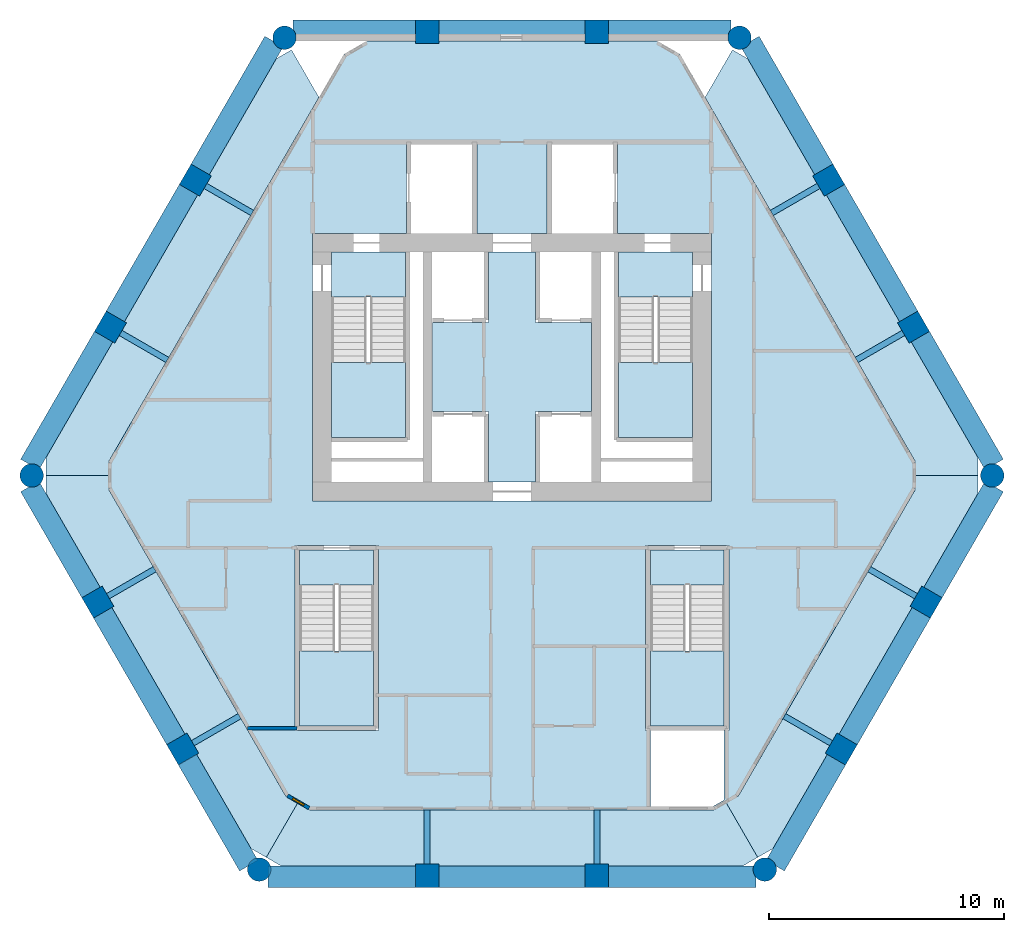
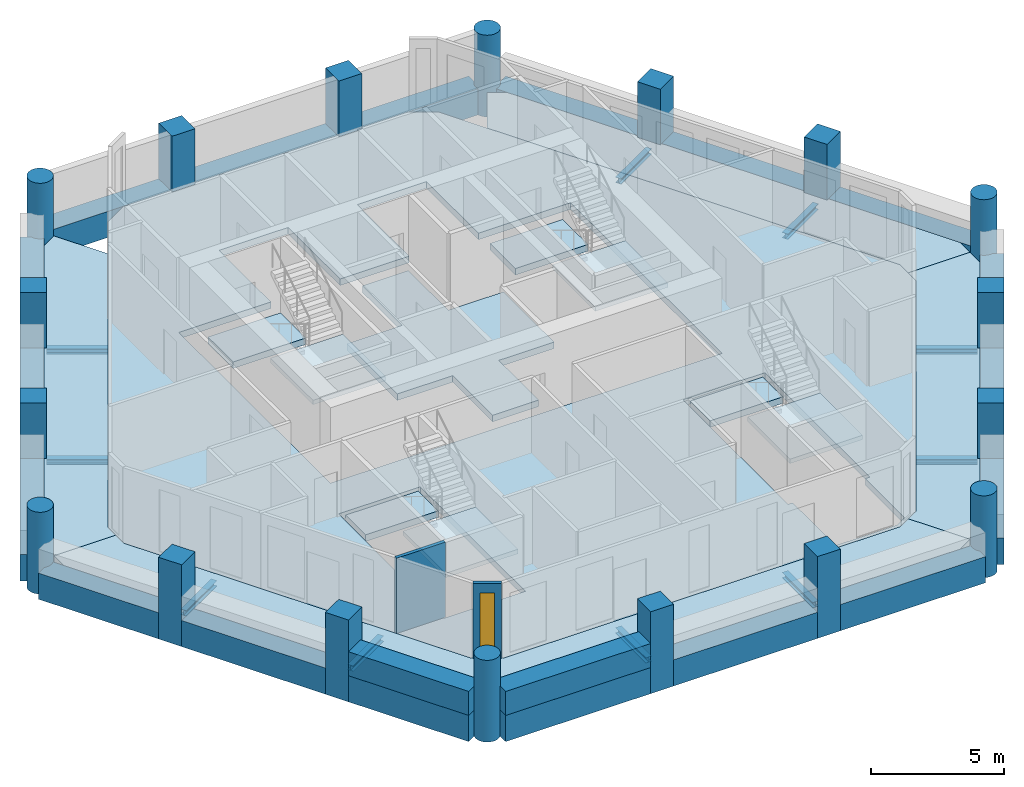
# One storey, part 1 of 7: 28 beams, 18 columns, 15 slabs, 4 walls, 1 window, 1 opening, 4 elements without a shape of their own.
"""IFC4 building model written with IfcOpenShell, lengths in metres."""

from ifc_helpers import new_model, si_unit, direction, frame, frame_2d, origin, origin_2d, place, context, subcontext, project, spatial, polyline, rectangle, circle, i_section, outline, extrude, material, layer, layer_set, material_profile, profile_set, type_object, element, fill, aggregate, save


model = new_model("IFC4")

# Units and contexts
model_context = context("Model", 3, precision=1e-05, world=origin(), true_north=direction((0.0, 1.0)))
body_context = subcontext(model_context, "Body", "Model", "MODEL_VIEW")
ifc_project = project(units=[si_unit("LENGTHUNIT", "METRE"), si_unit("AREAUNIT", "SQUARE_METRE"), si_unit("VOLUMEUNIT", "CUBIC_METRE"), si_unit("PLANEANGLEUNIT", "RADIAN"), si_unit("MASSUNIT", "GRAM", prefix="KILO")], contexts=[model_context])

# Site, building, storey
site_placement = place(None, origin())
site = spatial("IfcSite", under=ifc_project, at=site_placement, CompositionType="ELEMENT")
building_placement = place(site_placement, origin())
building = spatial("IfcBuilding", under=site, at=building_placement, Name="Ostrander Bayou Hotel Tower", CompositionType="ELEMENT")
storey_placement = place(building_placement, frame((0.0, 0.0, 183.25)))
storey = spatial("IfcBuildingStorey", under=building, at=storey_placement, Name="L45", CompositionType="ELEMENT", Elevation=183.25)

# Columns
ifc_material_1 = material(Name="Concrete f'c 60 MPa", Category="concrete")
ifc_material_profile_1 = material_profile(ifc_material_1, circle(Radius=0.5, at=origin_2d()))
ifc_profile_set_1 = profile_set([ifc_material_profile_1], Name="Concrete f'c 60 MPa")
column_type_1 = type_object("IfcColumnType", Name="C5 round column 1000 mm f'c 60 MPa", PredefinedType="COLUMN", material=ifc_profile_set_1)
for number, where, z_axis, x_axis, name in (
    (1, (-9.700439453125, 18.04541015625, -1.199951171875), (0.0, 0.0, 1.0), (1.0, 0.0, 0.0), "C5 L45 K0"),
    (2, (-20.47802734375, -0.621826171875, -1.199951171875), (0.0, 0.0, 1.0), (1.0, 0.0, 0.0), "C5 L45 K1"),
    (3, (-10.777587890625, -17.423583984375, -1.199951171875), (0.0, 0.0, 1.0), (1.0, 0.0, 0.0), "C5 L45 K2"),
    (4, (10.777587890625, -17.423583984375, -1.199951171875), (0.0, 0.0, 1.0), (1.0, 0.0, 0.0), "C5 L45 K3"),
    (5, (20.47802734375, -0.621826171875, -1.199951171875), (0.0, 0.0, 1.0), (1.0, 0.0, 0.0), "C5 L45 K4"),
    (6, (9.700439453125, 18.04541015625, -1.199951171875), (0.0, 0.0, 1.0), (1.0, 0.0, 0.0), "C5 L45 K5"),
):
    element("IfcColumn", number, at=place(storey_placement, frame(where, z_axis=z_axis, x_axis=x_axis)), inside=storey, type_object=column_type_1, Name=name, PredefinedType="COLUMN", context=body_context, shape_type="SweptSolid", body=[
        extrude(circle(Radius=0.5, at=origin_2d()), origin(), (0.0, 0.0, 1.0), 3.75),
    ])
ifc_material_2 = material(Name="Concrete f'c 60 MPa", Category="concrete")
ifc_material_profile_2 = material_profile(ifc_material_2, rectangle(XDim=1.0, YDim=1.0, at=origin_2d()))
ifc_profile_set_2 = profile_set([ifc_material_profile_2], Name="Concrete f'c 60 MPa")
column_type_2 = type_object("IfcColumnType", Name="C6 square column 1000 x 1000 mm f'c 60 MPa", PredefinedType="COLUMN", material=ifc_profile_set_2)
for number, where, z_axis, x_axis, name in (
    (7, (3.6181640625, 18.300048828125, -1.199951171875), (0.0, 0.0, 1.0), (1.0, 0.0, 0.0), "C6 L45 N1"),
    (8, (-3.6181640625, 18.300048828125, -1.199951171875), (0.0, 0.0, 1.0), (1.0, 0.0, 0.0), "C6 L45 N2"),
    (9, (-13.500732421875, 11.972412109375, -1.199951171875), (0.0, 0.0, 1.0), (0.5, 0.866025403784, 0.0), "C6 L45 NW1"),
    (10, (-17.11865234375, 5.705810546875, -1.199951171875), (0.0, 0.0, 1.0), (0.5, 0.866025403784, 0.0), "C6 L45 NW2"),
    (11, (-17.6572265625, -6.0166015625, -1.199951171875), (0.0, 0.0, 1.0), (-0.5, 0.866025403784, 0.0), "C6 L45 SW1"),
    (12, (-14.039306640625, -12.283203125, -1.199951171875), (0.0, 0.0, 1.0), (-0.5, 0.866025403784, 0.0), "C6 L45 SW2"),
    (13, (-3.6181640625, -17.677978515625, -1.199951171875), (0.0, 0.0, 1.0), (-1.0, 0.0, 0.0), "C6 L45 S1"),
    (14, (3.6181640625, -17.677978515625, -1.199951171875), (0.0, 0.0, 1.0), (-1.0, 0.0, 0.0), "C6 L45 S2"),
    (15, (14.039306640625, -12.283203125, -1.199951171875), (0.0, 0.0, 1.0), (-0.5, -0.866025403784, 0.0), "C6 L45 SE1"),
    (16, (17.6572265625, -6.0166015625, -1.199951171875), (0.0, 0.0, 1.0), (-0.5, -0.866025403784, 0.0), "C6 L45 SE2"),
    (17, (17.11865234375, 5.705810546875, -1.199951171875), (0.0, 0.0, 1.0), (0.5, -0.866025403784, 0.0), "C6 L45 NE1"),
    (18, (13.500732421875, 11.972412109375, -1.199951171875), (0.0, 0.0, 1.0), (0.5, -0.866025403784, 0.0), "C6 L45 NE2"),
):
    element("IfcColumn", number, at=place(storey_placement, frame(where, z_axis=z_axis, x_axis=x_axis)), inside=storey, type_object=column_type_2, Name=name, PredefinedType="COLUMN", context=body_context, shape_type="SweptSolid", body=[
        extrude(rectangle(XDim=1.0, YDim=1.0, at=origin_2d()), origin(), (0.0, 0.0, 1.0), 3.75),
    ])

# Beams
ifc_material_3 = material(Name="Steel ASTM A992", Category="steel")
ifc_material_profile_3 = material_profile(ifc_material_3, i_section(OverallWidth=0.25390625, OverallDepth=0.25341796875, WebThickness=0.008544921875, FlangeThickness=0.01416015625, at=origin_2d()))
ifc_profile_set_3 = profile_set([ifc_material_profile_3], Name="Steel ASTM A992")
beam_type_1 = type_object("IfcBeamType", Name="LB2 loggia bracket W10x49", PredefinedType="BEAM", material=ifc_profile_set_3)
for number, where, z_axis, x_axis, name in (
    (19, (-13.067626953125, 11.722412109375, -0.4267578125), (0.866053019151, -0.499952165731, 0.0), (0.499952165731, 0.866053019151, 0.0), "LB2 L45 NW1"),
    (20, (-16.685791015625, 5.455810546875, -0.4267578125), (0.866007057882, -0.500031774688, 0.0), (0.500031774688, 0.866007057882, 0.0), "LB2 L45 NW2"),
    (21, (-17.224365234375, -5.7666015625, -0.4267578125), (0.866053019151, 0.499952165731, 0.0), (-0.499952165731, 0.866053019151, 0.0), "LB2 L45 SW1"),
):
    element("IfcBeam", number, at=place(storey_placement, frame(where, z_axis=z_axis, x_axis=x_axis)), inside=storey, type_object=beam_type_1, Name=name, PredefinedType="BEAM", context=body_context, shape_type="SweptSolid", body=[
        extrude(i_section(OverallWidth=0.25390625, OverallDepth=0.25341796875, WebThickness=0.008544921875, FlangeThickness=0.01416015625, at=origin_2d()), origin(), (0.0, 0.0, 1.0), 2.300048828125),
    ])
for number, where, z_axis, x_axis, name in (
    (22, (-13.606201171875, -12.033203125, -0.4267578125), (0.86602648383, 0.499998129301, 0.0), (-0.499998129301, 0.86602648383, 0.0), "LB2 L45 SW2"),
    (23, (-3.6181640625, -17.177978515625, -0.4267578125), (0.0, 1.0, 0.0), (-1.0, 0.0, 0.0), "LB2 L45 S1"),
    (24, (3.6181640625, -17.177978515625, -0.4267578125), (0.0, 1.0, 0.0), (-1.0, 0.0, 0.0), "LB2 L45 S2"),
    (25, (13.606201171875, -12.033203125, -0.4267578125), (-0.86602648383, 0.499998129301, 0.0), (-0.499998129301, -0.86602648383, 0.0), "LB2 L45 SE1"),
):
    element("IfcBeam", number, at=place(storey_placement, frame(where, z_axis=z_axis, x_axis=x_axis)), inside=storey, type_object=beam_type_1, Name=name, PredefinedType="BEAM", context=body_context, shape_type="SweptSolid", body=[
        extrude(i_section(OverallWidth=0.25390625, OverallDepth=0.25341796875, WebThickness=0.008544921875, FlangeThickness=0.01416015625, at=origin_2d()), origin(), (0.0, 0.0, 1.0), 2.2998046875),
    ])
for number, where, z_axis, x_axis, name in (
    (26, (17.224365234375, -5.7666015625, -0.4267578125), (-0.866053019151, 0.499952165731, 0.0), (-0.499952165731, -0.866053019151, 0.0), "LB2 L45 SE2"),
    (27, (16.685791015625, 5.455810546875, -0.4267578125), (-0.866007057882, -0.500031774688, 0.0), (0.500031774688, -0.866007057882, 0.0), "LB2 L45 NE1"),
    (28, (13.067626953125, 11.722412109375, -0.4267578125), (-0.866053019151, -0.499952165731, 0.0), (0.499952165731, -0.866053019151, 0.0), "LB2 L45 NE2"),
):
    element("IfcBeam", number, at=place(storey_placement, frame(where, z_axis=z_axis, x_axis=x_axis)), inside=storey, type_object=beam_type_1, Name=name, PredefinedType="BEAM", context=body_context, shape_type="SweptSolid", body=[
        extrude(i_section(OverallWidth=0.25390625, OverallDepth=0.25341796875, WebThickness=0.008544921875, FlangeThickness=0.01416015625, at=origin_2d()), origin(), (0.0, 0.0, 1.0), 2.300048828125),
    ])
ifc_material_4 = material(Name="Concrete f'c 60 MPa", Category="concrete")
ifc_material_profile_4 = material_profile(ifc_material_4, rectangle(XDim=0.89990234375, YDim=1.199951171875, at=origin_2d()))
ifc_profile_set_4 = profile_set([ifc_material_profile_4], Name="Concrete f'c 60 MPa")
beam_type_2 = type_object("IfcBeamType", Name="SP3 spandrel beam 900 x 1200 mm f'c 60 MPa", PredefinedType="SPANDREL", material=ifc_profile_set_4)
beam_1_placement = place(storey_placement, frame((9.333984375, 18.35009765625, -0.60009765625), z_axis=(-1.0, 0.0, 0.0), x_axis=(0.0, -1.0, 0.0)))
element("IfcBeam", 29, at=beam_1_placement, inside=storey, type_object=beam_type_2, Name="SP3 L45 N-1", PredefinedType="SPANDREL", context=body_context, shape_type="SweptSolid", body=[
    extrude(rectangle(XDim=0.89990234375, YDim=1.199951171875, at=origin_2d()), origin(), (0.0, 0.0, 1.0), 5.245849609375),
])
beam_2_placement = place(storey_placement, frame((3.148193359375, 18.35009765625, -0.60009765625), z_axis=(-1.0, 0.0, 0.0), x_axis=(0.0, -1.0, 0.0)))
element("IfcBeam", 30, at=beam_2_placement, inside=storey, type_object=beam_type_2, Name="SP3 L45 N-2", PredefinedType="SPANDREL", context=body_context, shape_type="SweptSolid", body=[
    extrude(rectangle(XDim=0.89990234375, YDim=1.199951171875, at=origin_2d()), origin(), (0.0, 0.0, 1.0), 6.29638671875),
])
beam_3_placement = place(storey_placement, frame((-4.088134765625, 18.35009765625, -0.60009765625), z_axis=(-1.0, 0.0, 0.0), x_axis=(0.0, -1.0, 0.0)))
element("IfcBeam", 31, at=beam_3_placement, inside=storey, type_object=beam_type_2, Name="SP3 L45 N-3", PredefinedType="SPANDREL", context=body_context, shape_type="SweptSolid", body=[
    extrude(rectangle(XDim=0.89990234375, YDim=1.199951171875, at=origin_2d()), origin(), (0.0, 0.0, 1.0), 5.245849609375),
])
beam_4_placement = place(storey_placement, frame((-10.1474609375, 17.88037109375, -0.60009765625), z_axis=(-0.500000968981, -0.866024844342, 0.0), x_axis=(0.866024844342, -0.500000968981, 0.0)))
element("IfcBeam", 32, at=beam_4_placement, inside=storey, type_object=beam_type_2, Name="SP3 L45 NW-1", PredefinedType="SPANDREL", context=body_context, shape_type="SweptSolid", body=[
    extrude(rectangle(XDim=0.89990234375, YDim=1.199951171875, at=origin_2d()), origin(), (0.0, 0.0, 1.0), 6.3232421875),
])
beam_5_placement = place(storey_placement, frame((-13.779052734375, 11.59033203125, -0.60009765625), z_axis=(-0.499984268907, -0.866034485945, 0.0), x_axis=(0.866034485945, -0.499984268907, 0.0)))
element("IfcBeam", 33, at=beam_5_placement, inside=storey, type_object=beam_type_2, Name="SP3 L45 NW-2", PredefinedType="SPANDREL", context=body_context, shape_type="SweptSolid", body=[
    extrude(rectangle(XDim=0.89990234375, YDim=1.199951171875, at=origin_2d()), origin(), (0.0, 0.0, 1.0), 6.296142578125),
])
beam_6_placement = place(storey_placement, frame((-17.39697265625, 5.32373046875, -0.60009765625), z_axis=(-0.500017688138, -0.866015191293, 0.0), x_axis=(0.866015191293, -0.500017688138, 0.0)))
element("IfcBeam", 34, at=beam_6_placement, inside=storey, type_object=beam_type_2, Name="SP3 L45 NW-3", PredefinedType="SPANDREL", context=body_context, shape_type="SweptSolid", body=[
    extrude(rectangle(XDim=0.89990234375, YDim=1.199951171875, at=origin_2d()), origin(), (0.0, 0.0, 1.0), 6.322998046875),
])
beam_7_placement = place(storey_placement, frame((-20.55859375, -1.091552734375, -0.60009765625), z_axis=(0.500023253097, -0.866011978186, 0.0), x_axis=(0.866011978186, 0.500023253097, 0.0)))
element("IfcBeam", 35, at=beam_7_placement, inside=storey, type_object=beam_type_2, Name="SP3 L45 SW-1", PredefinedType="SPANDREL", context=body_context, shape_type="SweptSolid", body=[
    extrude(rectangle(XDim=0.89990234375, YDim=1.199951171875, at=origin_2d()), origin(), (0.0, 0.0, 1.0), 5.245849609375),
])
beam_8_placement = place(storey_placement, frame((-17.465576171875, -6.44873046875, -0.60009765625), z_axis=(0.500013351051, -0.866017695414, 0.0), x_axis=(0.866017695414, 0.500013351051, 0.0)))
element("IfcBeam", 36, at=beam_8_placement, inside=storey, type_object=beam_type_2, Name="SP3 L45 SW-2", PredefinedType="SPANDREL", context=body_context, shape_type="SweptSolid", body=[
    extrude(rectangle(XDim=0.89990234375, YDim=1.199951171875, at=origin_2d()), origin(), (0.0, 0.0, 1.0), 6.296142578125),
])
beam_9_placement = place(storey_placement, frame((-13.847412109375, -12.71533203125, -0.60009765625), z_axis=(0.499988348136, -0.866032130887, 0.0), x_axis=(0.866032130887, 0.499988348136, 0.0)))
element("IfcBeam", 37, at=beam_9_placement, inside=storey, type_object=beam_type_2, Name="SP3 L45 SW-3", PredefinedType="SPANDREL", context=body_context, shape_type="SweptSolid", body=[
    extrude(rectangle(XDim=0.89990234375, YDim=1.199951171875, at=origin_2d()), origin(), (0.0, 0.0, 1.0), 5.245849609375),
])
beam_10_placement = place(storey_placement, frame((-10.410888671875, -17.72802734375, -0.60009765625), z_axis=(1.0, 0.0, 0.0), x_axis=(0.0, 1.0, 0.0)))
element("IfcBeam", 38, at=beam_10_placement, inside=storey, type_object=beam_type_2, Name="SP3 L45 S-1", PredefinedType="SPANDREL", context=body_context, shape_type="SweptSolid", body=[
    extrude(rectangle(XDim=0.89990234375, YDim=1.199951171875, at=origin_2d()), origin(), (0.0, 0.0, 1.0), 6.32275390625),
])
beam_11_placement = place(storey_placement, frame((-3.148193359375, -17.72802734375, -0.60009765625), z_axis=(1.0, 0.0, 0.0), x_axis=(0.0, 1.0, 0.0)))
element("IfcBeam", 39, at=beam_11_placement, inside=storey, type_object=beam_type_2, Name="SP3 L45 S-2", PredefinedType="SPANDREL", context=body_context, shape_type="SweptSolid", body=[
    extrude(rectangle(XDim=0.89990234375, YDim=1.199951171875, at=origin_2d()), origin(), (0.0, 0.0, 1.0), 6.29638671875),
])
beam_12_placement = place(storey_placement, frame((4.088134765625, -17.72802734375, -0.60009765625), z_axis=(1.0, 0.0, 0.0), x_axis=(0.0, 1.0, 0.0)))
element("IfcBeam", 40, at=beam_12_placement, inside=storey, type_object=beam_type_2, Name="SP3 L45 S-3", PredefinedType="SPANDREL", context=body_context, shape_type="SweptSolid", body=[
    extrude(rectangle(XDim=0.89990234375, YDim=1.199951171875, at=origin_2d()), origin(), (0.0, 0.0, 1.0), 6.32275390625),
])
beam_13_placement = place(storey_placement, frame((11.224609375, -17.25830078125, -0.60009765625), z_axis=(0.499988348136, 0.866032130887, 0.0), x_axis=(-0.866032130887, 0.499988348136, 0.0)))
element("IfcBeam", 41, at=beam_13_placement, inside=storey, type_object=beam_type_2, Name="SP3 L45 SE-1", PredefinedType="SPANDREL", context=body_context, shape_type="SweptSolid", body=[
    extrude(rectangle(XDim=0.89990234375, YDim=1.199951171875, at=origin_2d()), origin(), (0.0, 0.0, 1.0), 5.245849609375),
])
beam_14_placement = place(storey_placement, frame((14.3173828125, -11.9013671875, -0.60009765625), z_axis=(0.500013351051, 0.866017695414, 0.0), x_axis=(-0.866017695414, 0.500013351051, 0.0)))
element("IfcBeam", 42, at=beam_14_placement, inside=storey, type_object=beam_type_2, Name="SP3 L45 SE-2", PredefinedType="SPANDREL", context=body_context, shape_type="SweptSolid", body=[
    extrude(rectangle(XDim=0.89990234375, YDim=1.199951171875, at=origin_2d()), origin(), (0.0, 0.0, 1.0), 6.296142578125),
])
beam_15_placement = place(storey_placement, frame((17.935546875, -5.634521484375, -0.60009765625), z_axis=(0.500023253097, 0.866011978186, 0.0), x_axis=(-0.866011978186, 0.500023253097, 0.0)))
element("IfcBeam", 43, at=beam_15_placement, inside=storey, type_object=beam_type_2, Name="SP3 L45 SE-3", PredefinedType="SPANDREL", context=body_context, shape_type="SweptSolid", body=[
    extrude(rectangle(XDim=0.89990234375, YDim=1.199951171875, at=origin_2d()), origin(), (0.0, 0.0, 1.0), 5.245849609375),
])
beam_16_placement = place(storey_placement, frame((20.55859375, -0.152099609375, -0.60009765625), z_axis=(-0.500017688138, 0.866015191293, 0.0), x_axis=(-0.866015191293, -0.500017688138, 0.0)))
element("IfcBeam", 44, at=beam_16_placement, inside=storey, type_object=beam_type_2, Name="SP3 L45 NE-1", PredefinedType="SPANDREL", context=body_context, shape_type="SweptSolid", body=[
    extrude(rectangle(XDim=0.89990234375, YDim=1.199951171875, at=origin_2d()), origin(), (0.0, 0.0, 1.0), 6.322998046875),
])
beam_17_placement = place(storey_placement, frame((16.927001953125, 6.1376953125, -0.60009765625), z_axis=(-0.499984268907, 0.866034485945, 0.0), x_axis=(-0.866034485945, -0.499984268907, 0.0)))
element("IfcBeam", 45, at=beam_17_placement, inside=storey, type_object=beam_type_2, Name="SP3 L45 NE-2", PredefinedType="SPANDREL", context=body_context, shape_type="SweptSolid", body=[
    extrude(rectangle(XDim=0.89990234375, YDim=1.199951171875, at=origin_2d()), origin(), (0.0, 0.0, 1.0), 6.296142578125),
])
beam_18_placement = place(storey_placement, frame((13.30908203125, 12.404296875, -0.60009765625), z_axis=(-0.500000968981, 0.866024844342, 0.0), x_axis=(-0.866024844342, -0.500000968981, 0.0)))
element("IfcBeam", 46, at=beam_18_placement, inside=storey, type_object=beam_type_2, Name="SP3 L45 NE-3", PredefinedType="SPANDREL", context=body_context, shape_type="SweptSolid", body=[
    extrude(rectangle(XDim=0.89990234375, YDim=1.199951171875, at=origin_2d()), origin(), (0.0, 0.0, 1.0), 6.3232421875),
])

# Slabs
ifc_material_5 = material(Name="Concrete f'c 40 MPa", Category="concrete")
ifc_layer_1 = layer(ifc_material_5, 0.300048828125)
ifc_layer_set_1 = layer_set([ifc_layer_1], Name="SL1 floor slab 300 mm f'c 40 MPa")
slab_type_1 = type_object("IfcSlabType", Name="SL1 floor slab 300 mm f'c 40 MPa", PredefinedType="FLOOR", material=ifc_layer_set_1)
slab_1_placement = place(storey_placement, frame((0.0, 0.0, -0.300048828125)))
element("IfcSlab", 47, at=slab_1_placement, inside=storey, type_object=slab_type_1, Name="SL1 L45 1", PredefinedType="FLOOR", context=body_context, shape_type="SweptSolid", body=[
    extrude(outline(polyline([(7.191650390625, 17.300048828125), (17.1923828125, -0.02197265625), (17.1923828125, -1.221923828125), (9.654296875, -14.278076171875), (8.614990234375, -14.878173828125), (-8.614990234375, -14.878173828125), (-9.654296875, -14.278076171875), (-17.1923828125, -1.221923828125), (-17.1923828125, -0.02197265625), (-7.191650390625, 17.300048828125), (-6.15234375, 17.89990234375), (6.15234375, 17.89990234375), (7.191650390625, 17.300048828125)]), holes=[polyline([(9.050048828125, -11.5), (9.25, -11.5), (9.25, -3.60009765625), (5.699951171875, -3.60009765625), (5.699951171875, -11.5), (5.89990234375, -11.5), (5.89990234375, -14.72802734375), (8.574951171875, -14.72802734375), (9.050048828125, -14.453857421875), (9.050048828125, -11.5)]), polyline([(-8.5, -1.699951171875), (8.5, -1.699951171875), (8.5, 9.699951171875), (4.5, 9.699951171875), (4.5, 13.60009765625), (1.5, 13.60009765625), (1.5, 9.699951171875), (-1.5, 9.699951171875), (-1.5, 13.60009765625), (-4.5, 13.60009765625), (-4.5, 9.699951171875), (-8.5, 9.699951171875), (-8.5, -1.699951171875)]), polyline([(-5.699951171875, -3.60009765625), (-9.25, -3.60009765625), (-9.25, -11.5), (-5.699951171875, -11.5), (-5.699951171875, -3.60009765625)])]), origin(), (0.0, 0.0, 1.0), 0.300048828125),
])
slab_2_placement = place(storey_placement, frame((0.0, 0.0, -0.300048828125)))
element("IfcSlab", 48, at=slab_2_placement, inside=storey, type_object=slab_type_1, Name="cslab:L45:001", PredefinedType="FLOOR", context=body_context, shape_type="SweptSolid", body=[
    extrude(outline(polyline([(-3.39990234375, 5.89990234375), (-1.0, 5.89990234375), (-1.0, 8.89990234375), (1.0, 8.89990234375), (1.0, 5.89990234375), (3.39990234375, 5.89990234375), (3.39990234375, 2.10009765625), (1.0, 2.10009765625), (1.0, -0.89990234375), (-1.0, -0.89990234375), (-1.0, 2.10009765625), (-3.39990234375, 2.10009765625), (-3.39990234375, 5.89990234375)])), origin(), (0.0, 0.0, 1.0), 0.300048828125),
])
slab_3_placement = place(storey_placement, frame((0.0, 0.0, -0.300048828125)))
element("IfcSlab", 49, at=slab_3_placement, inside=storey, type_object=slab_type_1, Name="cslab:L45:002", PredefinedType="FLOOR", context=body_context, shape_type="SweptSolid", body=[
    extrude(outline(polyline([(-4.550048828125, 7.0), (-4.550048828125, 8.89990234375), (-7.699951171875, 8.89990234375), (-7.699951171875, 7.0), (-4.550048828125, 7.0)])), origin(), (0.0, 0.0, 1.0), 0.300048828125),
])
slab_4_placement = place(storey_placement, frame((0.0, 0.0, -0.300048828125)))
element("IfcSlab", 50, at=slab_4_placement, inside=storey, type_object=slab_type_1, Name="cslab:L45:003", PredefinedType="FLOOR", context=body_context, shape_type="SweptSolid", body=[
    extrude(outline(polyline([(7.699951171875, 7.0), (7.699951171875, 8.89990234375), (4.550048828125, 8.89990234375), (4.550048828125, 7.0), (7.699951171875, 7.0)])), origin(), (0.0, 0.0, 1.0), 0.300048828125),
])
slab_5_placement = place(storey_placement, frame((0.0, 0.0, -0.300048828125)))
element("IfcSlab", 51, at=slab_5_placement, inside=storey, type_object=slab_type_1, Name="cslab:L45:004", PredefinedType="FLOOR", context=body_context, shape_type="SweptSolid", body=[
    extrude(outline(polyline([(9.050048828125, -5.300048828125), (9.050048828125, -3.800048828125), (5.89990234375, -3.800048828125), (5.89990234375, -5.300048828125), (9.050048828125, -5.300048828125)])), origin(), (0.0, 0.0, 1.0), 0.300048828125),
])
slab_6_placement = place(storey_placement, frame((0.0, 0.0, -0.300048828125)))
element("IfcSlab", 52, at=slab_6_placement, inside=storey, type_object=slab_type_1, Name="cslab:L45:005", PredefinedType="FLOOR", context=body_context, shape_type="SweptSolid", body=[
    extrude(outline(polyline([(-5.89990234375, -5.300048828125), (-5.89990234375, -3.800048828125), (-9.050048828125, -3.800048828125), (-9.050048828125, -5.300048828125), (-5.89990234375, -5.300048828125)])), origin(), (0.0, 0.0, 1.0), 0.300048828125),
])
ifc_material_6 = material(Name="Concrete f'c 40 MPa", Category="concrete")
ifc_layer_2 = layer(ifc_material_6, 0.300048828125)
ifc_layer_set_2 = layer_set([ifc_layer_2], Name="SL4 loggia slab 300 mm f'c 40 MPa")
slab_type_2 = type_object("IfcSlabType", Name="SL4 loggia slab 300 mm f'c 40 MPa", PredefinedType="FLOOR", material=ifc_layer_set_2)
slab_7_placement = place(storey_placement, frame((0.0, 0.0, -0.300048828125)))
element("IfcSlab", 53, at=slab_7_placement, inside=storey, type_object=slab_type_2, Name="SL4 LOGGIA L45 NW 1", PredefinedType="FLOOR", context=body_context, shape_type="SweptSolid", body=[
    extrude(outline(polyline([(-19.877197265625, -0.621826171875), (-19.877197265625, 0.128173828125), (-10.049560546875, 17.14990234375), (-9.39990234375, 17.52490234375), (-8.23095703125, 15.5), (-17.1923828125, -0.02197265625), (-17.1923828125, -0.621826171875), (-19.877197265625, -0.621826171875)])), origin(), (0.0, 0.0, 1.0), 0.300048828125),
])
slab_8_placement = place(storey_placement, frame((0.0, 0.0, -0.300048828125)))
element("IfcSlab", 54, at=slab_8_placement, inside=storey, type_object=slab_type_2, Name="SL4 LOGGIA L45 SW 1", PredefinedType="FLOOR", context=body_context, shape_type="SweptSolid", body=[
    extrude(outline(polyline([(-9.134765625, -14.578125), (-10.47705078125, -16.903076171875), (-11.126708984375, -16.528076171875), (-12.369873046875, -14.374755859375), (-17.5458984375, -5.40966796875), (-18.22509765625, -4.233154296875), (-19.877197265625, -1.371826171875), (-19.877197265625, -0.621826171875), (-17.1923828125, -0.621826171875), (-17.1923828125, -1.221923828125), (-9.654296875, -14.278076171875), (-9.134765625, -14.578125)])), origin(), (0.0, 0.0, 1.0), 0.300048828125),
])
slab_9_placement = place(storey_placement, frame((0.0, 0.0, -0.300048828125)))
element("IfcSlab", 55, at=slab_9_placement, inside=storey, type_object=slab_type_2, Name="SL4 LOGGIA L45 S 1", PredefinedType="FLOOR", context=body_context, shape_type="SweptSolid", body=[
    extrude(outline(polyline([(9.134765625, -14.578125), (10.47705078125, -16.903076171875), (9.82763671875, -17.278076171875), (4.088134765625, -17.278076171875), (3.148193359375, -17.278076171875), (-3.148193359375, -17.278076171875), (-4.088134765625, -17.278076171875), (-9.82763671875, -17.278076171875), (-10.47705078125, -16.903076171875), (-9.134765625, -14.578125), (-8.614990234375, -14.878173828125), (8.614990234375, -14.878173828125), (9.134765625, -14.578125)])), origin(), (0.0, 0.0, 1.0), 0.300048828125),
])
slab_10_placement = place(storey_placement, frame((0.0, 0.0, -0.300048828125)))
element("IfcSlab", 56, at=slab_10_placement, inside=storey, type_object=slab_type_2, Name="SL4 LOGGIA L45 SE 1", PredefinedType="FLOOR", context=body_context, shape_type="SweptSolid", body=[
    extrude(outline(polyline([(17.1923828125, -0.621826171875), (19.877197265625, -0.621826171875), (19.877197265625, -1.371826171875), (17.5458984375, -5.40966796875), (17.075927734375, -6.2236328125), (14.38671875, -10.881591796875), (13.457763671875, -12.490478515625), (11.126708984375, -16.528076171875), (10.47705078125, -16.903076171875), (9.134765625, -14.578125), (9.654296875, -14.278076171875), (17.1923828125, -1.221923828125), (17.1923828125, -0.621826171875)])), origin(), (0.0, 0.0, 1.0), 0.300048828125),
])
slab_11_placement = place(storey_placement, frame((0.0, 0.0, -0.300048828125)))
element("IfcSlab", 57, at=slab_11_placement, inside=storey, type_object=slab_type_2, Name="SL4 LOGGIA L45 NE 1", PredefinedType="FLOOR", context=body_context, shape_type="SweptSolid", body=[
    extrude(outline(polyline([(9.39990234375, 17.52490234375), (10.049560546875, 17.14990234375), (15.483642578125, 7.73779296875), (16.537353515625, 5.912841796875), (17.00732421875, 5.0986328125), (19.877197265625, 0.128173828125), (19.877197265625, -0.621826171875), (17.1923828125, -0.621826171875), (17.1923828125, -0.02197265625), (8.23095703125, 15.5), (9.39990234375, 17.52490234375)])), origin(), (0.0, 0.0, 1.0), 0.300048828125),
])

# Stair, slab
ifc_material_7 = material(Name="Concrete f'c 45 MPa", Category="concrete")
stair_type = type_object("IfcStairType", Name="ST1 exit stair 1500 mm f'c 45 MPa", PredefinedType="HALF_TURN_STAIR", material=ifc_material_7)
stair_1_placement = place(storey_placement, origin())
stair_1 = element("IfcStair", 58, at=stair_1_placement, inside=storey, type_object=stair_type, Name="L45 exit stair A", PredefinedType="HALF_TURN_STAIR")
ifc_material_8 = material(Name="Concrete f'c 45 MPa", Category="concrete")
ifc_layer_3 = layer(ifc_material_8, 0.199951171875)
ifc_layer_set_3 = layer_set([ifc_layer_3], Name="SL8 stair landing 200 mm f'c 45 MPa")
slab_type_3 = type_object("IfcSlabType", Name="SL8 stair landing 200 mm f'c 45 MPa", PredefinedType="LANDING", material=ifc_layer_set_3)
slab_12_placement = place(storey_placement, frame((0.0, 0.0, 1.675048828125)))
slab_12 = element("IfcSlab", 59, at=slab_12_placement, type_object=slab_type_3, Name="STA landing 1", PredefinedType="LANDING", context=body_context, shape_type="SweptSolid", body=[
    extrude(outline(polyline([(-7.699951171875, 4.199951171875), (-7.699951171875, 1.0), (-4.550048828125, 1.0), (-4.550048828125, 4.199951171875), (-7.699951171875, 4.199951171875)])), origin(), (0.0, 0.0, 1.0), 0.199951171875),
])
aggregate(stair_1, [slab_12])

stair_2_placement = place(storey_placement, origin())
stair_2 = element("IfcStair", 60, at=stair_2_placement, inside=storey, type_object=stair_type, Name="L45 exit stair B", PredefinedType="HALF_TURN_STAIR")
slab_13_placement = place(storey_placement, frame((0.0, 0.0, 1.675048828125)))
slab_13 = element("IfcSlab", 61, at=slab_13_placement, type_object=slab_type_3, Name="STB landing 1", PredefinedType="LANDING", context=body_context, shape_type="SweptSolid", body=[
    extrude(outline(polyline([(4.550048828125, 4.199951171875), (4.550048828125, 1.0), (7.699951171875, 1.0), (7.699951171875, 4.199951171875), (4.550048828125, 4.199951171875)])), origin(), (0.0, 0.0, 1.0), 0.199951171875),
])
aggregate(stair_2, [slab_13])

stair_3_placement = place(storey_placement, origin())
stair_3 = element("IfcStair", 62, at=stair_3_placement, inside=storey, type_object=stair_type, Name="L45 exit stair C", PredefinedType="HALF_TURN_STAIR")
slab_14_placement = place(storey_placement, frame((0.0, 0.0, 1.675048828125)))
slab_14 = element("IfcSlab", 63, at=slab_14_placement, type_object=slab_type_3, Name="STC landing 1", PredefinedType="LANDING", context=body_context, shape_type="SweptSolid", body=[
    extrude(outline(polyline([(5.89990234375, -8.10009765625), (5.89990234375, -11.300048828125), (9.050048828125, -11.300048828125), (9.050048828125, -8.10009765625), (5.89990234375, -8.10009765625)])), origin(), (0.0, 0.0, 1.0), 0.199951171875),
])
aggregate(stair_3, [slab_14])

stair_4_placement = place(storey_placement, origin())
stair_4 = element("IfcStair", 64, at=stair_4_placement, inside=storey, type_object=stair_type, Name="L45 exit stair D", PredefinedType="HALF_TURN_STAIR")
slab_15_placement = place(storey_placement, frame((0.0, 0.0, 1.675048828125)))
slab_15 = element("IfcSlab", 65, at=slab_15_placement, type_object=slab_type_3, Name="STD landing 1", PredefinedType="LANDING", context=body_context, shape_type="SweptSolid", body=[
    extrude(outline(polyline([(-9.050048828125, -8.10009765625), (-9.050048828125, -11.300048828125), (-5.89990234375, -11.300048828125), (-5.89990234375, -8.10009765625), (-9.050048828125, -8.10009765625)])), origin(), (0.0, 0.0, 1.0), 0.199951171875),
])
aggregate(stair_4, [slab_15])

# Wall, opening, window
ifc_material_9 = material(Name="Aluminium framed insulated wall", Category="aluminium")
ifc_layer_4 = layer(ifc_material_9, 0.14990234375)
ifc_layer_set_4 = layer_set([ifc_layer_4], Name="GW1 glass-line wall 150 mm")
wall_type_1 = type_object("IfcWallType", Name="GW1 glass-line wall 150 mm", PredefinedType="SOLIDWALL", material=ifc_layer_set_4)
wall_1_placement = place(storey_placement, frame((-9.572021484375, -14.2705078125, 0.0), z_axis=(0.0, 0.0, 1.0), x_axis=(0.865990848561, -0.500059846627, 0.0)))
wall_1 = element("IfcWall", 66, at=wall_1_placement, inside=storey, type_object=wall_type_1, Name="GW1 L45 corner 3", PredefinedType="SOLIDWALL", context=body_context, shape_type="SweptSolid", body=[
    extrude(rectangle(XDim=1.064697265625, YDim=0.14990234375, at=frame_2d((0.5322265625, 0.0))), origin(), (0.0, 0.0, 1.0), 3.449951171875),
])
opening_placement = place(wall_1_placement, frame((0.257568359375, 0.0, 0.14990234375)))
opening = element("IfcOpeningElement", 67, at=opening_placement, cuts=wall_1, Name="Opening W19", PredefinedType="OPENING", context=body_context, shape_type="SweptSolid", body=[
    extrude(rectangle(XDim=0.550048828125, YDim=2.85009765625, at=frame_2d((0.27490234375, 1.425048828125))), frame((0.0, 0.074951171875, 0.0), z_axis=(0.0, -1.0, 0.0), x_axis=(1.0, 0.0, 0.0)), (0.0, 0.0, 1.0), 0.14990234375),
])
ifc_material_10 = material(Name="Aluminium and clear glass", Category="aluminium")
window_type = type_object("IfcWindowType", Name="W19 corner window 550 mm", PartitioningType="SINGLE_PANEL", PredefinedType="WINDOW", material=ifc_material_10)
window_placement = place(opening_placement, origin())
window = element("IfcWindow", 68, at=window_placement, inside=storey, type_object=window_type, Name="W19 L45 corner 3", OverallHeight=2.85009765625, OverallWidth=0.550048828125, PartitioningType="SINGLE_PANEL", PredefinedType="WINDOW", context=body_context, shape_type="SweptSolid", body=[
    extrude(rectangle(XDim=0.550048828125, YDim=2.85009765625, at=frame_2d((0.27490234375, 1.425048828125))), frame((0.0, 0.030029296875, 0.0), z_axis=(0.0, -1.0, 0.0), x_axis=(1.0, 0.0, 0.0)), (0.0, 0.0, 1.0), 0.06005859375),
])
fill(opening, window)

# Walls
ifc_material_11 = material(Name="Concrete f'c 40 MPa", Category="concrete")
ifc_layer_5 = layer(ifc_material_11, 0.89990234375)
ifc_layer_set_5 = layer_set([ifc_layer_5], Name="PA1 stone-faced parapet 900 mm")
wall_type_2 = type_object("IfcWallType", Name="PA1 stone-faced parapet 900 mm", PredefinedType="PARAPET", material=ifc_layer_set_5)
wall_2_placement = place(storey_placement, frame((-10.410888671875, -17.72802734375, 0.0), z_axis=(0.0, 0.0, 1.0), x_axis=(1.0, 0.0, 0.0)))
element("IfcWall", 69, at=wall_2_placement, inside=storey, type_object=wall_type_2, Name="PA1 L45 S-1", PredefinedType="PARAPET", context=body_context, shape_type="SweptSolid", body=[
    extrude(rectangle(XDim=6.32275390625, YDim=0.89990234375, at=frame_2d((3.161376953125, 0.0))), origin(), (0.0, 0.0, 1.0), 1.10009765625),
])
ifc_material_12 = material(Name="Limestone masonry", Category="masonry")
ifc_layer_6 = layer(ifc_material_12, 0.89990234375)
ifc_layer_set_6 = layer_set([ifc_layer_6], Name="PA2 limestone parapet 900 mm")
wall_type_3 = type_object("IfcWallType", Name="PA2 limestone parapet 900 mm", PredefinedType="PARAPET", material=ifc_layer_set_6)
wall_3_placement = place(storey_placement, frame((-13.847412109375, -12.71533203125, 0.0), z_axis=(0.0, 0.0, 1.0), x_axis=(0.499988348136, -0.866032130887, 0.0)))
element("IfcWall", 70, at=wall_3_placement, inside=storey, type_object=wall_type_3, Name="PA2 L45 SW-3", PredefinedType="PARAPET", context=body_context, shape_type="SweptSolid", body=[
    extrude(rectangle(XDim=5.245849609375, YDim=0.89990234375, at=frame_2d((2.623046875, 0.0))), origin(), (0.0, 0.0, 1.0), 1.10009765625),
])
ifc_material_13 = material(Name="Gypsum board partition", Category="finish")
ifc_layer_7 = layer(ifc_material_13, 0.14990234375)
ifc_layer_set_7 = layer_set([ifc_layer_7], Name="PT8 service band wall 150 mm, 1 hour")
wall_type_4 = type_object("IfcWallType", Name="PT8 service band wall 150 mm, 1 hour", PredefinedType="PARTITIONING", material=ifc_layer_set_7)
wall_4_placement = place(storey_placement, frame((-11.281005859375, -11.39990234375, 0.0), z_axis=(0.0, 0.0, 1.0), x_axis=(1.0, 0.0, 0.0)))
element("IfcWall", 71, at=wall_4_placement, inside=storey, type_object=wall_type_4, Name="gw:L45:002", PredefinedType="PARTITIONING", context=body_context, shape_type="SweptSolid", body=[
    extrude(rectangle(XDim=2.12109375, YDim=0.14990234375, at=frame_2d((1.060546875, 0.0))), origin(), (0.0, 0.0, 1.0), 3.449951171875),
])

save(model, "model.ifc")
